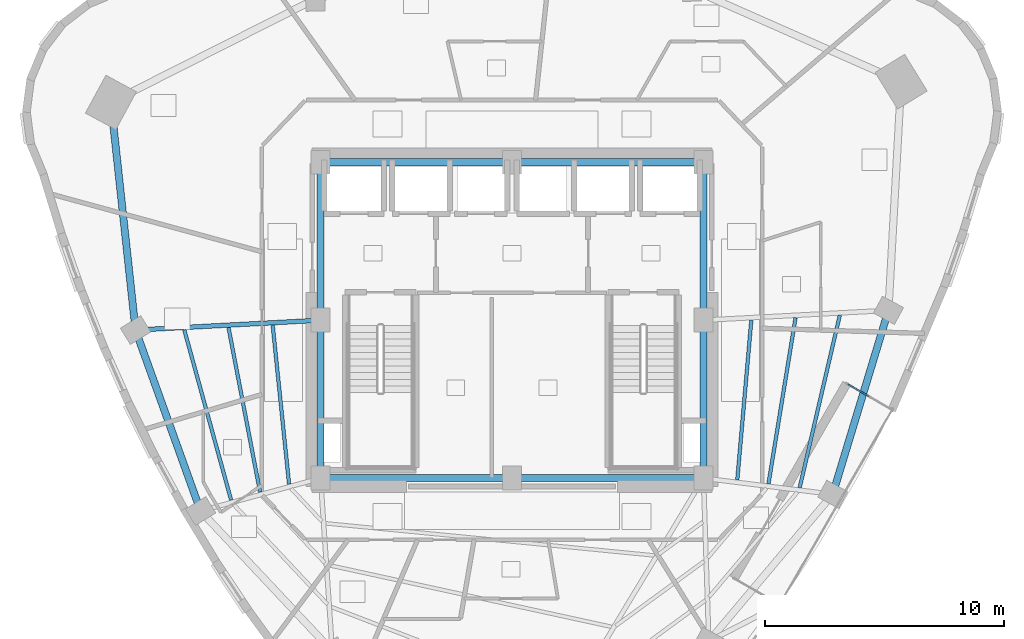
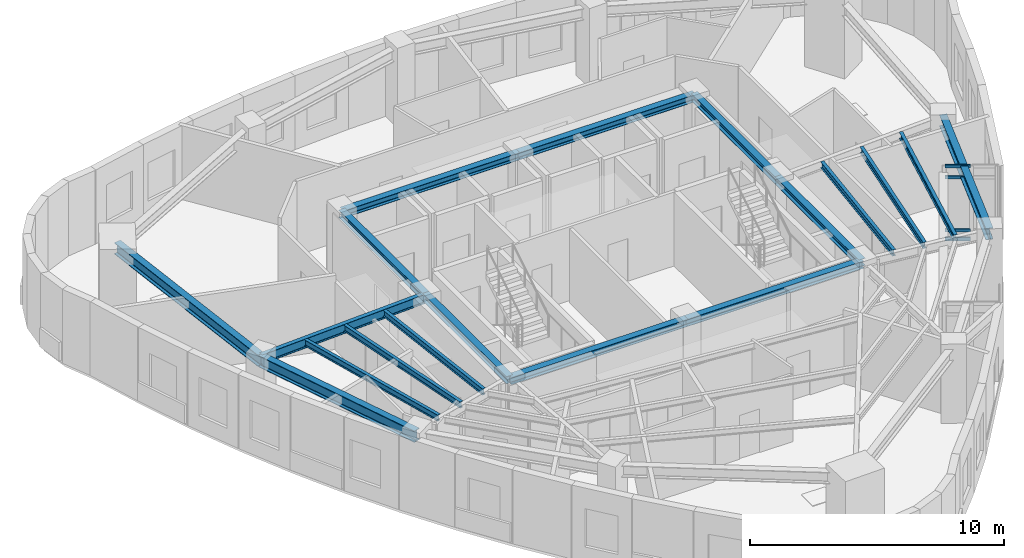
# One storey, part 3 of 12: 18 beams, 4 members, 1 element without a shape of its own.
"""IFC4 building model written with IfcOpenShell, lengths in metres."""

from ifc_helpers import new_model, si_unit, direction, frame, origin, origin_2d, place, context, subcontext, project, spatial, hollow_rectangle, i_section, extrude, material, layer, layer_set, material_profile, profile_set, type_object, element, aggregate, save


model = new_model("IFC4")

# Units and contexts
model_context = context("Model", 3, precision=1e-05, world=origin(), true_north=direction((0.0, 1.0)))
body_context = subcontext(model_context, "Body", "Model", "MODEL_VIEW")
ifc_project = project(units=[si_unit("LENGTHUNIT", "METRE"), si_unit("AREAUNIT", "SQUARE_METRE"), si_unit("VOLUMEUNIT", "CUBIC_METRE"), si_unit("PLANEANGLEUNIT", "RADIAN"), si_unit("MASSUNIT", "GRAM", prefix="KILO")], contexts=[model_context])

# Site, building, storey
site_placement = place(None, origin())
site = spatial("IfcSite", under=ifc_project, at=site_placement, CompositionType="ELEMENT")
building_placement = place(site_placement, origin())
building = spatial("IfcBuilding", under=site, at=building_placement, Name="Ndelora Gate Hotel", CompositionType="ELEMENT")
storey_placement = place(building_placement, frame((0.0, 0.0, 209.35009765625)))
storey = spatial("IfcBuildingStorey", under=building, at=storey_placement, Name="L52", CompositionType="ELEMENT", Elevation=209.35009765625)

# Beams
ifc_material_1 = material(Name="Steel S355", Category="steel")
ifc_material_profile_1 = material_profile(ifc_material_1, i_section(OverallWidth=0.300048828125, OverallDepth=0.35009765625, WebThickness=0.010009765625, FlangeThickness=0.017578125, FilletRadius=0.027099609375, at=origin_2d()), Name="HEA 360")
ifc_profile_set_1 = profile_set([ifc_material_profile_1], Name="Steel S355")
beam_type_1 = type_object("IfcBeamType", Name="BM-CORE-350", PredefinedType="BEAM", material=ifc_profile_set_1)
for number, where, z_axis, x_axis, name in (
    (1, (-8.0, 6.60009765625, 3.375), (1.0, 0.0, 0.0), (0.0, 1.0, 0.0), "L52 Core Tie Girder CC7-CC6"),
    (2, (0.0, 6.60009765625, 3.375), (1.0, 0.0, 0.0), (0.0, 1.0, 0.0), "L52 Core Tie Girder CC6-CC5"),
):
    element("IfcBeam", number, at=place(storey_placement, frame(where, z_axis=z_axis, x_axis=x_axis)), inside=storey, type_object=beam_type_1, Name=name, PredefinedType="BEAM", context=body_context, shape_type="SweptSolid", body=[
        extrude(i_section(OverallWidth=0.300048828125, OverallDepth=0.35009765625, WebThickness=0.010009765625, FlangeThickness=0.017578125, FilletRadius=0.027099609375, at=origin_2d()), origin(), (0.0, 0.0, 1.0), 8.0),
    ])
for number, where, z_axis, x_axis, name in (
    (3, (-8.0, -6.60009765625, 3.375), (0.0, 1.0, 0.0), (-1.0, 0.0, 0.0), "L52 Core Tie Girder CC1-CC8"),
    (4, (-8.0, 0.0, 3.375), (0.0, 1.0, 0.0), (-1.0, 0.0, 0.0), "L52 Core Tie Girder CC8-CC7"),
    (5, (8.0, -6.60009765625, 3.375), (0.0, 1.0, 0.0), (-1.0, 0.0, 0.0), "L52 Core Tie Girder CC3-CC4"),
    (6, (8.0, 0.0, 3.375), (0.0, 1.0, 0.0), (-1.0, 0.0, 0.0), "L52 Core Tie Girder CC4-CC5"),
):
    element("IfcBeam", number, at=place(storey_placement, frame(where, z_axis=z_axis, x_axis=x_axis)), inside=storey, type_object=beam_type_1, Name=name, PredefinedType="BEAM", context=body_context, shape_type="SweptSolid", body=[
        extrude(i_section(OverallWidth=0.300048828125, OverallDepth=0.35009765625, WebThickness=0.010009765625, FlangeThickness=0.017578125, FilletRadius=0.027099609375, at=origin_2d()), origin(), (0.0, 0.0, 1.0), 6.60009765625),
    ])
for number, where, z_axis, x_axis, name in (
    (7, (-8.0, -6.60009765625, 3.375), (1.0, 0.0, 0.0), (0.0, 1.0, 0.0), "L52 Core Tie Girder CC1-CC2"),
    (8, (0.0, -6.60009765625, 3.375), (1.0, 0.0, 0.0), (0.0, 1.0, 0.0), "L52 Core Tie Girder CC2-CC3"),
):
    element("IfcBeam", number, at=place(storey_placement, frame(where, z_axis=z_axis, x_axis=x_axis)), inside=storey, type_object=beam_type_1, Name=name, PredefinedType="BEAM", context=body_context, shape_type="SweptSolid", body=[
        extrude(i_section(OverallWidth=0.300048828125, OverallDepth=0.35009765625, WebThickness=0.010009765625, FlangeThickness=0.017578125, FilletRadius=0.027099609375, at=origin_2d()), origin(), (0.0, 0.0, 1.0), 8.0),
    ])
ifc_material_profile_2 = material_profile(ifc_material_1, i_section(OverallWidth=0.14990234375, OverallDepth=0.300048828125, WebThickness=0.007080078125, FlangeThickness=0.0107421875, FilletRadius=0.014892578125, at=origin_2d()), Name="IPE 300")
ifc_profile_set_2 = profile_set([ifc_material_profile_2], Name="Steel S355")
beam_type_2 = type_object("IfcBeamType", Name="BM-JST-300", PredefinedType="JOIST", material=ifc_profile_set_2)
beam_1_placement = place(storey_placement, frame((-9.9990234375, -0.21142578125, 3.39990234375), z_axis=(0.10260596827, -0.994722079415, 0.0), x_axis=(0.994722079415, 0.10260596827, 0.0)))
element("IfcBeam", 9, at=beam_1_placement, inside=storey, type_object=beam_type_2, Name="L52 Secondary Composite Floor Joist IN-2", PredefinedType="JOIST", context=body_context, shape_type="SweptSolid", body=[
    extrude(i_section(OverallWidth=0.14990234375, OverallDepth=0.300048828125, WebThickness=0.007080078125, FlangeThickness=0.0107421875, FilletRadius=0.014892578125, at=origin_2d()), origin(), (0.0, 0.0, 1.0), 6.676513671875),
])
beam_2_placement = place(storey_placement, frame((-11.84521484375, -0.30908203125, 3.39990234375), z_axis=(0.188470955684, -0.982078764083, 0.0), x_axis=(0.982078764083, 0.188470955684, 0.0)))
element("IfcBeam", 10, at=beam_2_placement, inside=storey, type_object=beam_type_2, Name="L52 Secondary Composite Floor Joist MID-2", PredefinedType="JOIST", context=body_context, shape_type="SweptSolid", body=[
    extrude(i_section(OverallWidth=0.14990234375, OverallDepth=0.300048828125, WebThickness=0.007080078125, FlangeThickness=0.0107421875, FilletRadius=0.014892578125, at=origin_2d()), origin(), (0.0, 0.0, 1.0), 7.000244140625),
])
beam_3_placement = place(storey_placement, frame((-13.6923828125, -0.406005859375, 3.39990234375), z_axis=(0.2652180483, -0.964188460238, 0.0), x_axis=(0.964188460238, 0.2652180483, 0.0)))
element("IfcBeam", 11, at=beam_3_placement, inside=storey, type_object=beam_type_2, Name="L52 Secondary Composite Floor Joist OUT-2", PredefinedType="JOIST", context=body_context, shape_type="SweptSolid", body=[
    extrude(i_section(OverallWidth=0.14990234375, OverallDepth=0.300048828125, WebThickness=0.007080078125, FlangeThickness=0.0107421875, FilletRadius=0.014892578125, at=origin_2d()), origin(), (0.0, 0.0, 1.0), 7.37353515625),
])
beam_4_placement = place(storey_placement, frame((9.413330078125, -6.671142578125, 3.39990234375), z_axis=(0.087643872384, 0.996151871771, 0.0), x_axis=(-0.996151871771, 0.087643872384, 0.0)))
element("IfcBeam", 12, at=beam_4_placement, inside=storey, type_object=beam_type_2, Name="L52 Secondary Composite Floor Joist IN-7", PredefinedType="JOIST", context=body_context, shape_type="SweptSolid", body=[
    extrude(i_section(OverallWidth=0.14990234375, OverallDepth=0.300048828125, WebThickness=0.007080078125, FlangeThickness=0.0107421875, FilletRadius=0.014892578125, at=origin_2d()), origin(), (0.0, 0.0, 1.0), 6.699462890625),
])
beam_5_placement = place(storey_placement, frame((10.717041015625, -6.834228515625, 3.39990234375), z_axis=(0.160939239626, 0.986964316046, 0.0), x_axis=(-0.986964316046, 0.160939239626, 0.0)))
element("IfcBeam", 13, at=beam_5_placement, inside=storey, type_object=beam_type_2, Name="L52 Secondary Composite Floor Joist MID-7", PredefinedType="JOIST", context=body_context, shape_type="SweptSolid", body=[
    extrude(i_section(OverallWidth=0.14990234375, OverallDepth=0.300048828125, WebThickness=0.007080078125, FlangeThickness=0.0107421875, FilletRadius=0.014892578125, at=origin_2d()), origin(), (0.0, 0.0, 1.0), 7.028076171875),
])
beam_6_placement = place(storey_placement, frame((12.02001953125, -6.997802734375, 3.39990234375), z_axis=(0.22674518397, 0.973954116756, 0.0), x_axis=(-0.973954116756, 0.22674518397, 0.0)))
element("IfcBeam", 14, at=beam_6_placement, inside=storey, type_object=beam_type_2, Name="L52 Secondary Composite Floor Joist OUT-7", PredefinedType="JOIST", context=body_context, shape_type="SweptSolid", body=[
    extrude(i_section(OverallWidth=0.14990234375, OverallDepth=0.300048828125, WebThickness=0.007080078125, FlangeThickness=0.0107421875, FilletRadius=0.014892578125, at=origin_2d()), origin(), (0.0, 0.0, 1.0), 7.392822265625),
])
ifc_material_profile_3 = material_profile(ifc_material_1, i_section(OverallWidth=0.18994140625, OverallDepth=0.449951171875, WebThickness=0.009521484375, FlangeThickness=0.0146484375, FilletRadius=0.02099609375, at=origin_2d()), Name="IPE 450")
ifc_profile_set_3 = profile_set([ifc_material_profile_3], Name="Steel S355")
beam_type_3 = type_object("IfcBeamType", Name="BM-RAD-450", PredefinedType="BEAM", material=ifc_profile_set_3)
beam_7_placement = place(storey_placement, frame((-8.0, 0.0, 3.324951171875), z_axis=(-0.998583554121, -0.053206065814, 0.0), x_axis=(0.053206065814, -0.998583554121, 0.0)))
element("IfcBeam", 15, at=beam_7_placement, inside=storey, type_object=beam_type_3, Name="L52 Radial Floor Girder 2", PredefinedType="BEAM", context=body_context, shape_type="SweptSolid", body=[
    extrude(i_section(OverallWidth=0.18994140625, OverallDepth=0.449951171875, WebThickness=0.009521484375, FlangeThickness=0.0146484375, FilletRadius=0.02099609375, at=origin_2d()), origin(), (0.0, 0.0, 1.0), 7.740966796875),
])
ifc_material_profile_4 = material_profile(ifc_material_1, i_section(OverallWidth=0.300048828125, OverallDepth=0.550048828125, WebThickness=0.014892578125, FlangeThickness=0.029052734375, FilletRadius=0.027099609375, at=origin_2d()), Name="HEB 550")
ifc_profile_set_4 = profile_set([ifc_material_profile_4], Name="Steel S355")
beam_type_4 = type_object("IfcBeamType", Name="BM-RING-550", PredefinedType="SPANDREL", material=ifc_profile_set_4)
beam_8_placement = place(storey_placement, frame((-16.759521484375, 9.099609375, 3.27490234375), z_axis=(0.107613416645, -0.994192814578, 0.0), x_axis=(0.994192814578, 0.107613416645, 0.0)))
element("IfcBeam", 16, at=beam_8_placement, inside=storey, type_object=beam_type_4, Name="L52 Perimeter Spandrel Girder 1", PredefinedType="SPANDREL", context=body_context, shape_type="SweptSolid", body=[
    extrude(i_section(OverallWidth=0.300048828125, OverallDepth=0.550048828125, WebThickness=0.014892578125, FlangeThickness=0.029052734375, FilletRadius=0.027099609375, at=origin_2d()), origin(), (0.0, 0.0, 1.0), 9.567138671875),
])
beam_9_placement = place(storey_placement, frame((-15.72998046875, -0.411865234375, 3.27490234375), z_axis=(0.338244972382, -0.941058095262, 0.0), x_axis=(0.941058095262, 0.338244972382, 0.0)))
element("IfcBeam", 17, at=beam_9_placement, inside=storey, type_object=beam_type_4, Name="L52 Perimeter Spandrel Girder 2", PredefinedType="SPANDREL", context=body_context, shape_type="SweptSolid", body=[
    extrude(i_section(OverallWidth=0.300048828125, OverallDepth=0.550048828125, WebThickness=0.014892578125, FlangeThickness=0.029052734375, FilletRadius=0.027099609375, at=origin_2d()), origin(), (0.0, 0.0, 1.0), 8.03564453125),
])
beam_10_placement = place(storey_placement, frame((13.400390625, -7.275634765625, 3.27490234375), z_axis=(0.290012456561, 0.957022870698, 0.0), x_axis=(-0.957022870698, 0.290012456561, 0.0)))
element("IfcBeam", 18, at=beam_10_placement, inside=storey, type_object=beam_type_4, Name="L52 Perimeter Spandrel Girder 7", PredefinedType="SPANDREL", context=body_context, shape_type="SweptSolid", body=[
    extrude(i_section(OverallWidth=0.300048828125, OverallDepth=0.550048828125, WebThickness=0.014892578125, FlangeThickness=0.029052734375, FilletRadius=0.027099609375, at=origin_2d()), origin(), (0.0, 0.0, 1.0), 8.03271484375),
])

# Curtain wall, members
ifc_material_2 = material(Name="Bronze Anodised Unitised Aluminium and Low-E Glass", Category="aluminium")
ifc_layer = layer(ifc_material_2, 0.199951171875)
ifc_layer_set = layer_set([ifc_layer], Name="Bronze Anodised Unitised Aluminium and Low-E Glass")
curtain_wall_type = type_object("IfcCurtainWallType", Name="CW-SYS-3", PredefinedType="NOTDEFINED", material=ifc_layer_set)
curtain_wall_placement = place(storey_placement, origin())
curtain_wall = element("IfcCurtainWall", 19, at=curtain_wall_placement, inside=storey, type_object=curtain_wall_type, Name="L52 Sky-Garden Loggia Side Curtain Wall CW3-2", PredefinedType="NOTDEFINED")
ifc_material_3 = material(Name="Bronze Anodised Aluminium 6063-T6", Category="aluminium")
ifc_material_profile_5 = material_profile(ifc_material_3, hollow_rectangle(XDim=0.06494140625, YDim=0.159912109375, WallThickness=0.00390625, InnerFilletRadius=0.00390625, OuterFilletRadius=0.008056640625, at=origin_2d()), Name="ALU 160x65x4")
ifc_profile_set_5 = profile_set([ifc_material_profile_5], Name="Bronze Anodised Aluminium 6063-T6")
member_type = type_object("IfcMemberType", Name="MB-CW-TRN150", PredefinedType="USERDEFINED", material=ifc_profile_set_5)
member_1_placement = place(storey_placement, frame((14.910400390625, -3.181396484375, 0.032470703125), z_axis=(-0.866013277291, 0.500021003115, 0.0), x_axis=(-0.500021003115, -0.866013277291, 0.0)))
member_1 = element("IfcMember", 20, at=member_1_placement, type_object=member_type, Name="CW3 transom 2.1", ObjectType="TRANSOM", PredefinedType="USERDEFINED", context=body_context, shape_type="SweptSolid", body=[
    extrude(hollow_rectangle(XDim=0.06494140625, YDim=0.159912109375, WallThickness=0.00390625, InnerFilletRadius=0.00390625, OuterFilletRadius=0.008056640625, at=origin_2d()), origin(), (0.0, 0.0, 1.0), 1.0146484375),
])
member_2_placement = place(storey_placement, frame((14.910400390625, -3.181396484375, 0.449951171875), z_axis=(-0.866013277291, 0.500021003115, 0.0), x_axis=(-0.500021003115, -0.866013277291, 0.0)))
member_2 = element("IfcMember", 21, at=member_2_placement, type_object=member_type, Name="CW3 transom 2.2", ObjectType="TRANSOM", PredefinedType="USERDEFINED", context=body_context, shape_type="SweptSolid", body=[
    extrude(hollow_rectangle(XDim=0.06494140625, YDim=0.159912109375, WallThickness=0.00390625, InnerFilletRadius=0.00390625, OuterFilletRadius=0.008056640625, at=origin_2d()), origin(), (0.0, 0.0, 1.0), 1.0146484375),
])
member_3_placement = place(storey_placement, frame((14.910400390625, -3.181396484375, 3.0), z_axis=(-0.866013277291, 0.500021003115, 0.0), x_axis=(-0.500021003115, -0.866013277291, 0.0)))
member_3 = element("IfcMember", 22, at=member_3_placement, type_object=member_type, Name="CW3 transom 2.3", ObjectType="TRANSOM", PredefinedType="USERDEFINED", context=body_context, shape_type="SweptSolid", body=[
    extrude(hollow_rectangle(XDim=0.06494140625, YDim=0.159912109375, WallThickness=0.00390625, InnerFilletRadius=0.00390625, OuterFilletRadius=0.008056640625, at=origin_2d()), origin(), (0.0, 0.0, 1.0), 1.0146484375),
])
member_4_placement = place(storey_placement, frame((14.910400390625, -3.181396484375, 3.517333984375), z_axis=(-0.866013277291, 0.500021003115, 0.0), x_axis=(-0.500021003115, -0.866013277291, 0.0)))
member_4 = element("IfcMember", 23, at=member_4_placement, type_object=member_type, Name="CW3 transom 2.4", ObjectType="TRANSOM", PredefinedType="USERDEFINED", context=body_context, shape_type="SweptSolid", body=[
    extrude(hollow_rectangle(XDim=0.06494140625, YDim=0.159912109375, WallThickness=0.00390625, InnerFilletRadius=0.00390625, OuterFilletRadius=0.008056640625, at=origin_2d()), origin(), (0.0, 0.0, 1.0), 1.0146484375),
])
aggregate(curtain_wall, [member_1, member_2, member_3, member_4])

save(model, "model.ifc")
